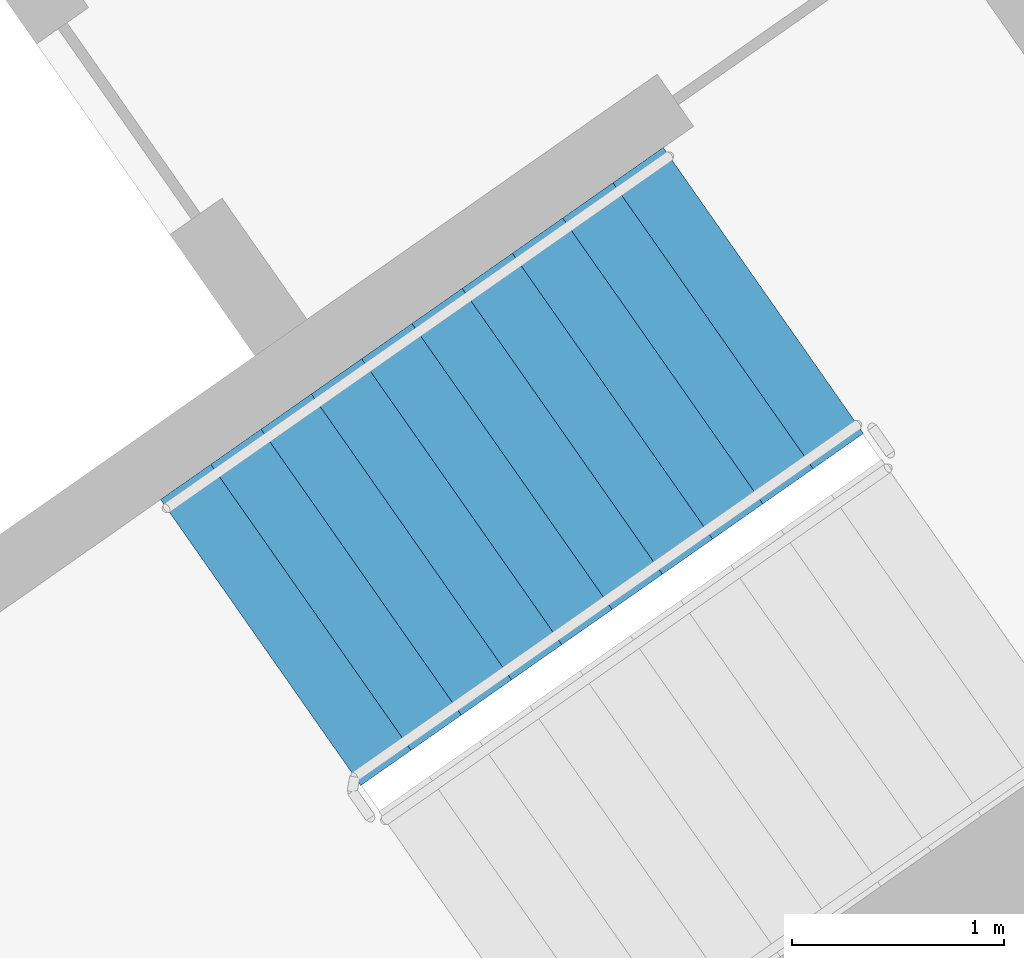
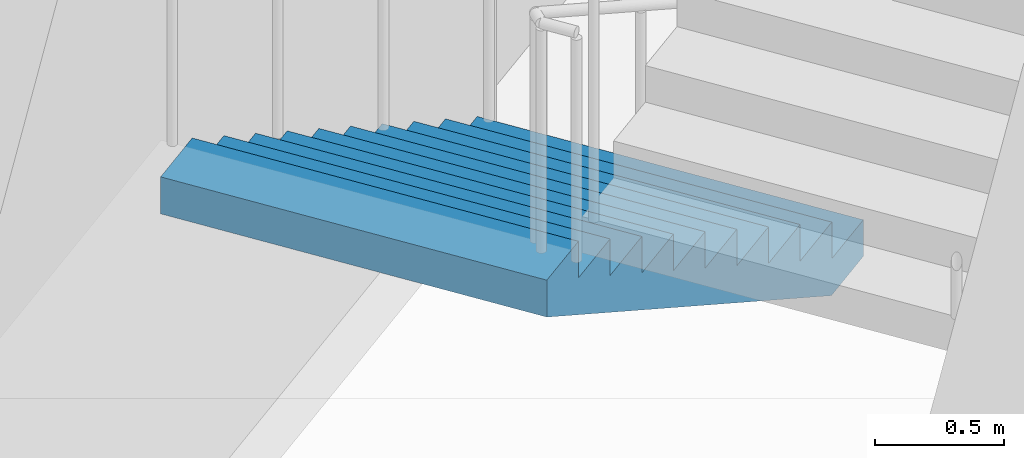
# One storey, part 19 of 30: 1 stair flight, 1 element without a shape of its own.
"""IFC4 building model written with IfcOpenShell, lengths in metres."""

from ifc_helpers import new_model, si_unit, direction, frame, origin, place, context, subcontext, project, spatial, faceted_brep, material, type_object, element, aggregate, save


model = new_model("IFC4")

# Units and contexts
model_context = context("Model", 3, precision=1e-05, world=origin(), true_north=direction((0.0, 1.0)))
body_context = subcontext(model_context, "Body", "Model", "MODEL_VIEW")
ifc_project = project(units=[si_unit("LENGTHUNIT", "METRE"), si_unit("AREAUNIT", "SQUARE_METRE"), si_unit("VOLUMEUNIT", "CUBIC_METRE"), si_unit("PLANEANGLEUNIT", "RADIAN"), si_unit("MASSUNIT", "GRAM", prefix="KILO")], contexts=[model_context])

# Site, building, storey
site_placement = place(None, origin())
site = spatial("IfcSite", under=ifc_project, at=site_placement, CompositionType="ELEMENT")
building_placement = place(site_placement, origin())
building = spatial("IfcBuilding", under=site, at=building_placement, Name="Qamariyya Broadcast Tower", CompositionType="ELEMENT")
storey_placement = place(building_placement, frame((0.0, 0.0, 67.10009765625)))
storey = spatial("IfcBuildingStorey", under=building, at=storey_placement, Name="L13", CompositionType="ELEMENT", Elevation=67.10009765625)

# Stair, stair flight
ifc_material = material(Name="Concrete C50/60", Category="concrete")
stair_type = type_object("IfcStairType", Name="Exit stair 22 risers of 173 mm", PredefinedType="HALF_TURN_STAIR", material=ifc_material)
stair_placement = place(storey_placement, origin())
stair = element("IfcStair", 1, at=stair_placement, inside=storey, type_object=stair_type, Name="L13 Stair E1", PredefinedType="HALF_TURN_STAIR")
stair_flight_type = type_object("IfcStairFlightType", Name="Exit stair flight 11 risers of 173 mm", PredefinedType="STRAIGHT", material=ifc_material)
stair_flight_placement = place(storey_placement, frame((46.036376953125, -55.508056640625, 0.0), z_axis=(0.0, 0.0, 1.0), x_axis=(-0.819152044289, -0.573576436351, 0.0)))
stair_flight = element("IfcStairFlight", 2, at=stair_flight_placement, type_object=stair_flight_type, Name="ST-E1 flight 1", NumberOfRisers=11, NumberOfTreads=10, PredefinedType="STRAIGHT", RiserHeight=0.172727273, TreadLength=0.29, context=body_context, shape_type="Brep", body=[
    faceted_brep([(0.0, 0.824951171875, 0.0), (0.0, 0.824951171875, 0.172607421875), (0.2900390625, 0.824951171875, 0.172607421875), (0.2900390625, 0.824951171875, 0.345458984375), (0.580078125, 0.824951171875, 0.345458984375), (0.580078125, 0.824951171875, 0.51806640625), (0.8701171875, 0.824951171875, 0.51806640625), (0.8701171875, 0.824951171875, 0.69091796875), (1.159912109375, 0.824951171875, 0.69091796875), (1.159912109375, 0.824951171875, 0.863525390625), (1.449951171875, 0.824951171875, 0.863525390625), (1.449951171875, 0.824951171875, 1.036376953125), (1.739990234375, 0.824951171875, 1.036376953125), (1.739990234375, 0.824951171875, 1.208984375), (2.030029296875, 0.824951171875, 1.208984375), (2.030029296875, 0.824951171875, 1.3818359375), (2.320068359375, 0.824951171875, 1.3818359375), (2.320068359375, 0.824951171875, 1.554443359375), (2.610107421875, 0.824951171875, 1.554443359375), (2.610107421875, 0.824951171875, 1.727294921875), (2.89990234375, 0.824951171875, 1.727294921875), (2.89990234375, 0.824951171875, 1.552734375), (0.29296875, 0.824951171875, 0.0), (0.29296875, -0.824951171875, 0.0), (2.89990234375, -0.824951171875, 1.552734375), (2.89990234375, -0.824951171875, 1.727294921875), (2.610107421875, -0.824951171875, 1.727294921875), (2.610107421875, -0.824951171875, 1.554443359375), (2.320068359375, -0.824951171875, 1.554443359375), (2.320068359375, -0.824951171875, 1.3818359375), (2.030029296875, -0.824951171875, 1.3818359375), (2.030029296875, -0.824951171875, 1.208984375), (1.739990234375, -0.824951171875, 1.208984375), (1.739990234375, -0.824951171875, 1.036376953125), (1.449951171875, -0.824951171875, 1.036376953125), (1.449951171875, -0.824951171875, 0.863525390625), (1.159912109375, -0.824951171875, 0.863525390625), (1.159912109375, -0.824951171875, 0.69091796875), (0.8701171875, -0.824951171875, 0.69091796875), (0.8701171875, -0.824951171875, 0.51806640625), (0.580078125, -0.824951171875, 0.51806640625), (0.580078125, -0.824951171875, 0.345458984375), (0.2900390625, -0.824951171875, 0.345458984375), (0.2900390625, -0.824951171875, 0.172607421875), (0.0, -0.824951171875, 0.172607421875), (0.0, -0.824951171875, 0.0), (0.0, 0.10009765625, 0.0), (0.0, 0.086669921875, 0.0), (0.0, 0.0732421875, 0.0), (0.0, 0.06005859375, 0.0), (0.0, 0.046630859375, 0.0), (0.0, 0.033447265625, 0.0), (0.0, 0.02001953125, 0.0), (0.0, 0.006591796875, 0.0), (0.0, -0.006591796875, 0.0), (0.0, -0.02001953125, 0.0), (0.0, -0.033447265625, 0.0), (0.0, -0.046630859375, 0.0), (0.0, -0.06005859375, 0.0), (0.0, -0.0732421875, 0.0), (0.0, -0.086669921875, 0.0), (0.0, -0.10009765625, 0.0), (0.0, -0.10009765625, 0.172607421875), (0.0, -0.086669921875, 0.172607421875), (0.0, -0.0732421875, 0.172607421875), (0.0, -0.06005859375, 0.172607421875), (0.0, -0.046630859375, 0.172607421875), (0.0, -0.033447265625, 0.172607421875), (0.0, -0.02001953125, 0.172607421875), (0.0, -0.006591796875, 0.172607421875), (0.0, 0.006591796875, 0.172607421875), (0.0, 0.02001953125, 0.172607421875), (0.0, 0.033447265625, 0.172607421875), (0.0, 0.046630859375, 0.172607421875), (0.0, 0.06005859375, 0.172607421875), (0.0, 0.0732421875, 0.172607421875), (0.0, 0.086669921875, 0.172607421875), (0.0, 0.10009765625, 0.172607421875), (0.2900390625, -0.10009765625, 0.172607421875), (0.2900390625, -0.086669921875, 0.172607421875), (0.2900390625, -0.0732421875, 0.172607421875), (0.2900390625, -0.06005859375, 0.172607421875), (0.2900390625, -0.046630859375, 0.172607421875), (0.2900390625, -0.033447265625, 0.172607421875), (0.2900390625, -0.02001953125, 0.172607421875), (0.2900390625, -0.006591796875, 0.172607421875), (0.2900390625, 0.006591796875, 0.172607421875), (0.2900390625, 0.02001953125, 0.172607421875), (0.2900390625, 0.033447265625, 0.172607421875), (0.2900390625, 0.046630859375, 0.172607421875), (0.2900390625, 0.06005859375, 0.172607421875), (0.2900390625, 0.0732421875, 0.172607421875), (0.2900390625, 0.086669921875, 0.172607421875), (0.2900390625, 0.10009765625, 0.172607421875), (0.2900390625, -0.10009765625, 0.345458984375), (0.2900390625, -0.086669921875, 0.345458984375), (0.2900390625, -0.0732421875, 0.345458984375), (0.2900390625, -0.06005859375, 0.345458984375), (0.2900390625, -0.046630859375, 0.345458984375), (0.2900390625, -0.033447265625, 0.345458984375), (0.2900390625, -0.02001953125, 0.345458984375), (0.2900390625, -0.006591796875, 0.345458984375), (0.2900390625, 0.006591796875, 0.345458984375), (0.2900390625, 0.02001953125, 0.345458984375), (0.2900390625, 0.033447265625, 0.345458984375), (0.2900390625, 0.046630859375, 0.345458984375), (0.2900390625, 0.06005859375, 0.345458984375), (0.2900390625, 0.0732421875, 0.345458984375), (0.2900390625, 0.086669921875, 0.345458984375), (0.2900390625, 0.10009765625, 0.345458984375), (0.580078125, -0.10009765625, 0.345458984375), (0.580078125, -0.086669921875, 0.345458984375), (0.580078125, -0.0732421875, 0.345458984375), (0.580078125, -0.06005859375, 0.345458984375), (0.580078125, -0.046630859375, 0.345458984375), (0.580078125, -0.033447265625, 0.345458984375), (0.580078125, -0.02001953125, 0.345458984375), (0.580078125, -0.006591796875, 0.345458984375), (0.580078125, 0.006591796875, 0.345458984375), (0.580078125, 0.02001953125, 0.345458984375), (0.580078125, 0.033447265625, 0.345458984375), (0.580078125, 0.046630859375, 0.345458984375), (0.580078125, 0.06005859375, 0.345458984375), (0.580078125, 0.0732421875, 0.345458984375), (0.580078125, 0.086669921875, 0.345458984375), (0.580078125, 0.10009765625, 0.345458984375), (0.580078125, -0.10009765625, 0.51806640625), (0.580078125, -0.086669921875, 0.51806640625), (0.580078125, -0.0732421875, 0.51806640625), (0.580078125, -0.06005859375, 0.51806640625), (0.580078125, -0.046630859375, 0.51806640625), (0.580078125, -0.033447265625, 0.51806640625), (0.580078125, -0.02001953125, 0.51806640625), (0.580078125, -0.006591796875, 0.51806640625), (0.580078125, 0.006591796875, 0.51806640625), (0.580078125, 0.02001953125, 0.51806640625), (0.580078125, 0.033447265625, 0.51806640625), (0.580078125, 0.046630859375, 0.51806640625), (0.580078125, 0.06005859375, 0.51806640625), (0.580078125, 0.0732421875, 0.51806640625), (0.580078125, 0.086669921875, 0.51806640625), (0.580078125, 0.10009765625, 0.51806640625), (0.8701171875, -0.10009765625, 0.51806640625), (0.8701171875, -0.086669921875, 0.51806640625), (0.8701171875, -0.0732421875, 0.51806640625), (0.8701171875, -0.06005859375, 0.51806640625), (0.8701171875, -0.046630859375, 0.51806640625), (0.8701171875, -0.033447265625, 0.51806640625), (0.8701171875, -0.02001953125, 0.51806640625), (0.8701171875, -0.006591796875, 0.51806640625), (0.8701171875, 0.006591796875, 0.51806640625), (0.8701171875, 0.02001953125, 0.51806640625), (0.8701171875, 0.033447265625, 0.51806640625), (0.8701171875, 0.046630859375, 0.51806640625), (0.8701171875, 0.06005859375, 0.51806640625), (0.8701171875, 0.0732421875, 0.51806640625), (0.8701171875, 0.086669921875, 0.51806640625), (0.8701171875, 0.10009765625, 0.51806640625), (0.8701171875, -0.10009765625, 0.69091796875), (0.8701171875, -0.086669921875, 0.69091796875), (0.8701171875, -0.0732421875, 0.69091796875), (0.8701171875, -0.06005859375, 0.69091796875), (0.8701171875, -0.046630859375, 0.69091796875), (0.8701171875, -0.033447265625, 0.69091796875), (0.8701171875, -0.02001953125, 0.69091796875), (0.8701171875, -0.006591796875, 0.69091796875), (0.8701171875, 0.006591796875, 0.69091796875), (0.8701171875, 0.02001953125, 0.69091796875), (0.8701171875, 0.033447265625, 0.69091796875), (0.8701171875, 0.046630859375, 0.69091796875), (0.8701171875, 0.06005859375, 0.69091796875), (0.8701171875, 0.0732421875, 0.69091796875), (0.8701171875, 0.086669921875, 0.69091796875), (0.8701171875, 0.10009765625, 0.69091796875), (1.159912109375, -0.10009765625, 0.69091796875), (1.159912109375, -0.086669921875, 0.69091796875), (1.159912109375, -0.0732421875, 0.69091796875), (1.159912109375, -0.06005859375, 0.69091796875), (1.159912109375, -0.046630859375, 0.69091796875), (1.159912109375, -0.033447265625, 0.69091796875), (1.159912109375, -0.02001953125, 0.69091796875), (1.159912109375, -0.006591796875, 0.69091796875), (1.159912109375, 0.006591796875, 0.69091796875), (1.159912109375, 0.02001953125, 0.69091796875), (1.159912109375, 0.033447265625, 0.69091796875), (1.159912109375, 0.046630859375, 0.69091796875), (1.159912109375, 0.06005859375, 0.69091796875), (1.159912109375, 0.0732421875, 0.69091796875), (1.159912109375, 0.086669921875, 0.69091796875), (1.159912109375, 0.10009765625, 0.69091796875), (1.159912109375, -0.10009765625, 0.863525390625), (1.159912109375, -0.086669921875, 0.863525390625), (1.159912109375, -0.0732421875, 0.863525390625), (1.159912109375, -0.06005859375, 0.863525390625), (1.159912109375, -0.046630859375, 0.863525390625), (1.159912109375, -0.033447265625, 0.863525390625), (1.159912109375, -0.02001953125, 0.863525390625), (1.159912109375, -0.006591796875, 0.863525390625), (1.159912109375, 0.006591796875, 0.863525390625), (1.159912109375, 0.02001953125, 0.863525390625), (1.159912109375, 0.033447265625, 0.863525390625), (1.159912109375, 0.046630859375, 0.863525390625), (1.159912109375, 0.06005859375, 0.863525390625), (1.159912109375, 0.0732421875, 0.863525390625), (1.159912109375, 0.086669921875, 0.863525390625), (1.159912109375, 0.10009765625, 0.863525390625), (1.449951171875, -0.10009765625, 0.863525390625), (1.449951171875, -0.086669921875, 0.863525390625), (1.449951171875, -0.0732421875, 0.863525390625), (1.449951171875, -0.06005859375, 0.863525390625), (1.449951171875, -0.046630859375, 0.863525390625), (1.449951171875, -0.033447265625, 0.863525390625), (1.449951171875, -0.02001953125, 0.863525390625), (1.449951171875, -0.006591796875, 0.863525390625), (1.449951171875, 0.006591796875, 0.863525390625), (1.449951171875, 0.02001953125, 0.863525390625), (1.449951171875, 0.033447265625, 0.863525390625), (1.449951171875, 0.046630859375, 0.863525390625), (1.449951171875, 0.06005859375, 0.863525390625), (1.449951171875, 0.0732421875, 0.863525390625), (1.449951171875, 0.086669921875, 0.863525390625), (1.449951171875, 0.10009765625, 0.863525390625), (1.449951171875, -0.10009765625, 1.036376953125), (1.449951171875, -0.086669921875, 1.036376953125), (1.449951171875, -0.0732421875, 1.036376953125), (1.449951171875, -0.06005859375, 1.036376953125), (1.449951171875, -0.046630859375, 1.036376953125), (1.449951171875, -0.033447265625, 1.036376953125), (1.449951171875, -0.02001953125, 1.036376953125), (1.449951171875, -0.006591796875, 1.036376953125), (1.449951171875, 0.006591796875, 1.036376953125), (1.449951171875, 0.02001953125, 1.036376953125), (1.449951171875, 0.033447265625, 1.036376953125), (1.449951171875, 0.046630859375, 1.036376953125), (1.449951171875, 0.06005859375, 1.036376953125), (1.449951171875, 0.0732421875, 1.036376953125), (1.449951171875, 0.086669921875, 1.036376953125), (1.449951171875, 0.10009765625, 1.036376953125), (1.739990234375, -0.10009765625, 1.036376953125), (1.739990234375, -0.086669921875, 1.036376953125), (1.739990234375, -0.0732421875, 1.036376953125), (1.739990234375, -0.06005859375, 1.036376953125), (1.739990234375, -0.046630859375, 1.036376953125), (1.739990234375, -0.033447265625, 1.036376953125), (1.739990234375, -0.02001953125, 1.036376953125), (1.739990234375, -0.006591796875, 1.036376953125), (1.739990234375, 0.006591796875, 1.036376953125), (1.739990234375, 0.02001953125, 1.036376953125), (1.739990234375, 0.033447265625, 1.036376953125), (1.739990234375, 0.046630859375, 1.036376953125), (1.739990234375, 0.06005859375, 1.036376953125), (1.739990234375, 0.0732421875, 1.036376953125), (1.739990234375, 0.086669921875, 1.036376953125), (1.739990234375, 0.10009765625, 1.036376953125), (1.739990234375, -0.10009765625, 1.208984375), (1.739990234375, -0.086669921875, 1.208984375), (1.739990234375, -0.0732421875, 1.208984375), (1.739990234375, -0.06005859375, 1.208984375), (1.739990234375, -0.046630859375, 1.208984375), (1.739990234375, -0.033447265625, 1.208984375), (1.739990234375, -0.02001953125, 1.208984375), (1.739990234375, -0.006591796875, 1.208984375), (1.739990234375, 0.006591796875, 1.208984375), (1.739990234375, 0.02001953125, 1.208984375), (1.739990234375, 0.033447265625, 1.208984375), (1.739990234375, 0.046630859375, 1.208984375), (1.739990234375, 0.06005859375, 1.208984375), (1.739990234375, 0.0732421875, 1.208984375), (1.739990234375, 0.086669921875, 1.208984375), (1.739990234375, 0.10009765625, 1.208984375), (2.030029296875, -0.10009765625, 1.208984375), (2.030029296875, -0.086669921875, 1.208984375), (2.030029296875, -0.0732421875, 1.208984375), (2.030029296875, -0.06005859375, 1.208984375), (2.030029296875, -0.046630859375, 1.208984375), (2.030029296875, -0.033447265625, 1.208984375), (2.030029296875, -0.02001953125, 1.208984375), (2.030029296875, -0.006591796875, 1.208984375), (2.030029296875, 0.006591796875, 1.208984375), (2.030029296875, 0.02001953125, 1.208984375), (2.030029296875, 0.033447265625, 1.208984375), (2.030029296875, 0.046630859375, 1.208984375), (2.030029296875, 0.06005859375, 1.208984375), (2.030029296875, 0.0732421875, 1.208984375), (2.030029296875, 0.086669921875, 1.208984375), (2.030029296875, 0.10009765625, 1.208984375), (2.030029296875, -0.10009765625, 1.3818359375), (2.030029296875, -0.086669921875, 1.3818359375), (2.030029296875, -0.0732421875, 1.3818359375), (2.030029296875, -0.06005859375, 1.3818359375), (2.030029296875, -0.046630859375, 1.3818359375), (2.030029296875, -0.033447265625, 1.3818359375), (2.030029296875, -0.02001953125, 1.3818359375), (2.030029296875, -0.006591796875, 1.3818359375), (2.030029296875, 0.006591796875, 1.3818359375), (2.030029296875, 0.02001953125, 1.3818359375), (2.030029296875, 0.033447265625, 1.3818359375), (2.030029296875, 0.046630859375, 1.3818359375), (2.030029296875, 0.06005859375, 1.3818359375), (2.030029296875, 0.0732421875, 1.3818359375), (2.030029296875, 0.086669921875, 1.3818359375), (2.030029296875, 0.10009765625, 1.3818359375), (2.320068359375, -0.10009765625, 1.3818359375), (2.320068359375, -0.086669921875, 1.3818359375), (2.320068359375, -0.0732421875, 1.3818359375), (2.320068359375, -0.06005859375, 1.3818359375), (2.320068359375, -0.046630859375, 1.3818359375), (2.320068359375, -0.033447265625, 1.3818359375), (2.320068359375, -0.02001953125, 1.3818359375), (2.320068359375, -0.006591796875, 1.3818359375), (2.320068359375, 0.006591796875, 1.3818359375), (2.320068359375, 0.02001953125, 1.3818359375), (2.320068359375, 0.033447265625, 1.3818359375), (2.320068359375, 0.046630859375, 1.3818359375), (2.320068359375, 0.06005859375, 1.3818359375), (2.320068359375, 0.0732421875, 1.3818359375), (2.320068359375, 0.086669921875, 1.3818359375), (2.320068359375, 0.10009765625, 1.3818359375), (2.320068359375, -0.10009765625, 1.554443359375), (2.320068359375, -0.086669921875, 1.554443359375), (2.320068359375, -0.0732421875, 1.554443359375), (2.320068359375, -0.06005859375, 1.554443359375), (2.320068359375, -0.046630859375, 1.554443359375), (2.320068359375, -0.033447265625, 1.554443359375), (2.320068359375, -0.02001953125, 1.554443359375), (2.320068359375, -0.006591796875, 1.554443359375), (2.320068359375, 0.006591796875, 1.554443359375), (2.320068359375, 0.02001953125, 1.554443359375), (2.320068359375, 0.033447265625, 1.554443359375), (2.320068359375, 0.046630859375, 1.554443359375), (2.320068359375, 0.06005859375, 1.554443359375), (2.320068359375, 0.0732421875, 1.554443359375), (2.320068359375, 0.086669921875, 1.554443359375), (2.320068359375, 0.10009765625, 1.554443359375), (2.610107421875, -0.10009765625, 1.554443359375), (2.610107421875, -0.086669921875, 1.554443359375), (2.610107421875, -0.0732421875, 1.554443359375), (2.610107421875, -0.06005859375, 1.554443359375), (2.610107421875, -0.046630859375, 1.554443359375), (2.610107421875, -0.033447265625, 1.554443359375), (2.610107421875, -0.02001953125, 1.554443359375), (2.610107421875, -0.006591796875, 1.554443359375), (2.610107421875, 0.006591796875, 1.554443359375), (2.610107421875, 0.02001953125, 1.554443359375), (2.610107421875, 0.033447265625, 1.554443359375), (2.610107421875, 0.046630859375, 1.554443359375), (2.610107421875, 0.06005859375, 1.554443359375), (2.610107421875, 0.0732421875, 1.554443359375), (2.610107421875, 0.086669921875, 1.554443359375), (2.610107421875, 0.10009765625, 1.554443359375), (2.610107421875, -0.10009765625, 1.727294921875), (2.610107421875, -0.086669921875, 1.727294921875), (2.610107421875, -0.0732421875, 1.727294921875), (2.610107421875, -0.06005859375, 1.727294921875), (2.610107421875, -0.046630859375, 1.727294921875), (2.610107421875, -0.033447265625, 1.727294921875), (2.610107421875, -0.02001953125, 1.727294921875), (2.610107421875, -0.006591796875, 1.727294921875), (2.610107421875, 0.006591796875, 1.727294921875), (2.610107421875, 0.02001953125, 1.727294921875), (2.610107421875, 0.033447265625, 1.727294921875), (2.610107421875, 0.046630859375, 1.727294921875), (2.610107421875, 0.06005859375, 1.727294921875), (2.610107421875, 0.0732421875, 1.727294921875), (2.610107421875, 0.086669921875, 1.727294921875), (2.610107421875, 0.10009765625, 1.727294921875), (2.89990234375, -0.10009765625, 1.727294921875), (2.89990234375, -0.086669921875, 1.727294921875), (2.89990234375, -0.0732421875, 1.727294921875), (2.89990234375, -0.06005859375, 1.727294921875), (2.89990234375, -0.046630859375, 1.727294921875), (2.89990234375, -0.033447265625, 1.727294921875), (2.89990234375, -0.02001953125, 1.727294921875), (2.89990234375, -0.006591796875, 1.727294921875), (2.89990234375, 0.006591796875, 1.727294921875), (2.89990234375, 0.02001953125, 1.727294921875), (2.89990234375, 0.033447265625, 1.727294921875), (2.89990234375, 0.046630859375, 1.727294921875), (2.89990234375, 0.06005859375, 1.727294921875), (2.89990234375, 0.0732421875, 1.727294921875), (2.89990234375, 0.086669921875, 1.727294921875), (2.89990234375, 0.10009765625, 1.727294921875), (2.89990234375, -0.10009765625, 1.552734375), (2.89990234375, -0.086669921875, 1.552734375), (2.89990234375, -0.0732421875, 1.552734375), (2.89990234375, -0.06005859375, 1.552734375), (2.89990234375, -0.046630859375, 1.552734375), (2.89990234375, -0.033447265625, 1.552734375), (2.89990234375, -0.02001953125, 1.552734375), (2.89990234375, -0.006591796875, 1.552734375), (2.89990234375, 0.006591796875, 1.552734375), (2.89990234375, 0.02001953125, 1.552734375), (2.89990234375, 0.033447265625, 1.552734375), (2.89990234375, 0.046630859375, 1.552734375), (2.89990234375, 0.06005859375, 1.552734375), (2.89990234375, 0.0732421875, 1.552734375), (2.89990234375, 0.086669921875, 1.552734375), (2.89990234375, 0.10009765625, 1.552734375), (0.29296875, -0.10009765625, 0.0), (0.29296875, -0.086669921875, 0.0), (0.29296875, -0.0732421875, 0.0), (0.29296875, -0.06005859375, 0.0), (0.29296875, -0.046630859375, 0.0), (0.29296875, -0.033447265625, 0.0), (0.29296875, -0.02001953125, 0.0), (0.29296875, -0.006591796875, 0.0), (0.29296875, 0.006591796875, 0.0), (0.29296875, 0.02001953125, 0.0), (0.29296875, 0.033447265625, 0.0), (0.29296875, 0.046630859375, 0.0), (0.29296875, 0.06005859375, 0.0), (0.29296875, 0.0732421875, 0.0), (0.29296875, 0.086669921875, 0.0), (0.29296875, 0.10009765625, 0.0)], [[[0, 1, 2, 3, 4, 5, 6, 7, 8, 9, 10, 11, 12, 13, 14, 15, 16, 17, 18, 19, 20, 21, 22]], [[23, 24, 25, 26, 27, 28, 29, 30, 31, 32, 33, 34, 35, 36, 37, 38, 39, 40, 41, 42, 43, 44, 45]], [[0, 46, 47, 48, 49, 50, 51, 52, 53, 54, 55, 56, 57, 58, 59, 60, 61, 45, 44, 62, 63, 64, 65, 66, 67, 68, 69, 70, 71, 72, 73, 74, 75, 76, 77, 1]], [[1, 77, 76, 75, 74, 73, 72, 71, 70, 69, 68, 67, 66, 65, 64, 63, 62, 44, 43, 78, 79, 80, 81, 82, 83, 84, 85, 86, 87, 88, 89, 90, 91, 92, 93, 2]], [[2, 93, 92, 91, 90, 89, 88, 87, 86, 85, 84, 83, 82, 81, 80, 79, 78, 43, 42, 94, 95, 96, 97, 98, 99, 100, 101, 102, 103, 104, 105, 106, 107, 108, 109, 3]], [[3, 109, 108, 107, 106, 105, 104, 103, 102, 101, 100, 99, 98, 97, 96, 95, 94, 42, 41, 110, 111, 112, 113, 114, 115, 116, 117, 118, 119, 120, 121, 122, 123, 124, 125, 4]], [[4, 125, 124, 123, 122, 121, 120, 119, 118, 117, 116, 115, 114, 113, 112, 111, 110, 41, 40, 126, 127, 128, 129, 130, 131, 132, 133, 134, 135, 136, 137, 138, 139, 140, 141, 5]], [[5, 141, 140, 139, 138, 137, 136, 135, 134, 133, 132, 131, 130, 129, 128, 127, 126, 40, 39, 142, 143, 144, 145, 146, 147, 148, 149, 150, 151, 152, 153, 154, 155, 156, 157, 6]], [[6, 157, 156, 155, 154, 153, 152, 151, 150, 149, 148, 147, 146, 145, 144, 143, 142, 39, 38, 158, 159, 160, 161, 162, 163, 164, 165, 166, 167, 168, 169, 170, 171, 172, 173, 7]], [[7, 173, 172, 171, 170, 169, 168, 167, 166, 165, 164, 163, 162, 161, 160, 159, 158, 38, 37, 174, 175, 176, 177, 178, 179, 180, 181, 182, 183, 184, 185, 186, 187, 188, 189, 8]], [[8, 189, 188, 187, 186, 185, 184, 183, 182, 181, 180, 179, 178, 177, 176, 175, 174, 37, 36, 190, 191, 192, 193, 194, 195, 196, 197, 198, 199, 200, 201, 202, 203, 204, 205, 9]], [[9, 205, 204, 203, 202, 201, 200, 199, 198, 197, 196, 195, 194, 193, 192, 191, 190, 36, 35, 206, 207, 208, 209, 210, 211, 212, 213, 214, 215, 216, 217, 218, 219, 220, 221, 10]], [[10, 221, 220, 219, 218, 217, 216, 215, 214, 213, 212, 211, 210, 209, 208, 207, 206, 35, 34, 222, 223, 224, 225, 226, 227, 228, 229, 230, 231, 232, 233, 234, 235, 236, 237, 11]], [[11, 237, 236, 235, 234, 233, 232, 231, 230, 229, 228, 227, 226, 225, 224, 223, 222, 34, 33, 238, 239, 240, 241, 242, 243, 244, 245, 246, 247, 248, 249, 250, 251, 252, 253, 12]], [[12, 253, 252, 251, 250, 249, 248, 247, 246, 245, 244, 243, 242, 241, 240, 239, 238, 33, 32, 254, 255, 256, 257, 258, 259, 260, 261, 262, 263, 264, 265, 266, 267, 268, 269, 13]], [[13, 269, 268, 267, 266, 265, 264, 263, 262, 261, 260, 259, 258, 257, 256, 255, 254, 32, 31, 270, 271, 272, 273, 274, 275, 276, 277, 278, 279, 280, 281, 282, 283, 284, 285, 14]], [[14, 285, 284, 283, 282, 281, 280, 279, 278, 277, 276, 275, 274, 273, 272, 271, 270, 31, 30, 286, 287, 288, 289, 290, 291, 292, 293, 294, 295, 296, 297, 298, 299, 300, 301, 15]], [[15, 301, 300, 299, 298, 297, 296, 295, 294, 293, 292, 291, 290, 289, 288, 287, 286, 30, 29, 302, 303, 304, 305, 306, 307, 308, 309, 310, 311, 312, 313, 314, 315, 316, 317, 16]], [[16, 317, 316, 315, 314, 313, 312, 311, 310, 309, 308, 307, 306, 305, 304, 303, 302, 29, 28, 318, 319, 320, 321, 322, 323, 324, 325, 326, 327, 328, 329, 330, 331, 332, 333, 17]], [[17, 333, 332, 331, 330, 329, 328, 327, 326, 325, 324, 323, 322, 321, 320, 319, 318, 28, 27, 334, 335, 336, 337, 338, 339, 340, 341, 342, 343, 344, 345, 346, 347, 348, 349, 18]], [[18, 349, 348, 347, 346, 345, 344, 343, 342, 341, 340, 339, 338, 337, 336, 335, 334, 27, 26, 350, 351, 352, 353, 354, 355, 356, 357, 358, 359, 360, 361, 362, 363, 364, 365, 19]], [[19, 365, 364, 363, 362, 361, 360, 359, 358, 357, 356, 355, 354, 353, 352, 351, 350, 26, 25, 366, 367, 368, 369, 370, 371, 372, 373, 374, 375, 376, 377, 378, 379, 380, 381, 20]], [[20, 381, 380, 379, 378, 377, 376, 375, 374, 373, 372, 371, 370, 369, 368, 367, 366, 25, 24, 382, 383, 384, 385, 386, 387, 388, 389, 390, 391, 392, 393, 394, 395, 396, 397, 21]], [[21, 397, 396, 395, 394, 393, 392, 391, 390, 389, 388, 387, 386, 385, 384, 383, 382, 24, 23, 398, 399, 400, 401, 402, 403, 404, 405, 406, 407, 408, 409, 410, 411, 412, 413, 22]], [[22, 413, 412, 411, 410, 409, 408, 407, 406, 405, 404, 403, 402, 401, 400, 399, 398, 23, 45, 61, 60, 59, 58, 57, 56, 55, 54, 53, 52, 51, 50, 49, 48, 47, 46, 0]]]),
])
aggregate(stair, [stair_flight])

save(model, "model.ifc")
